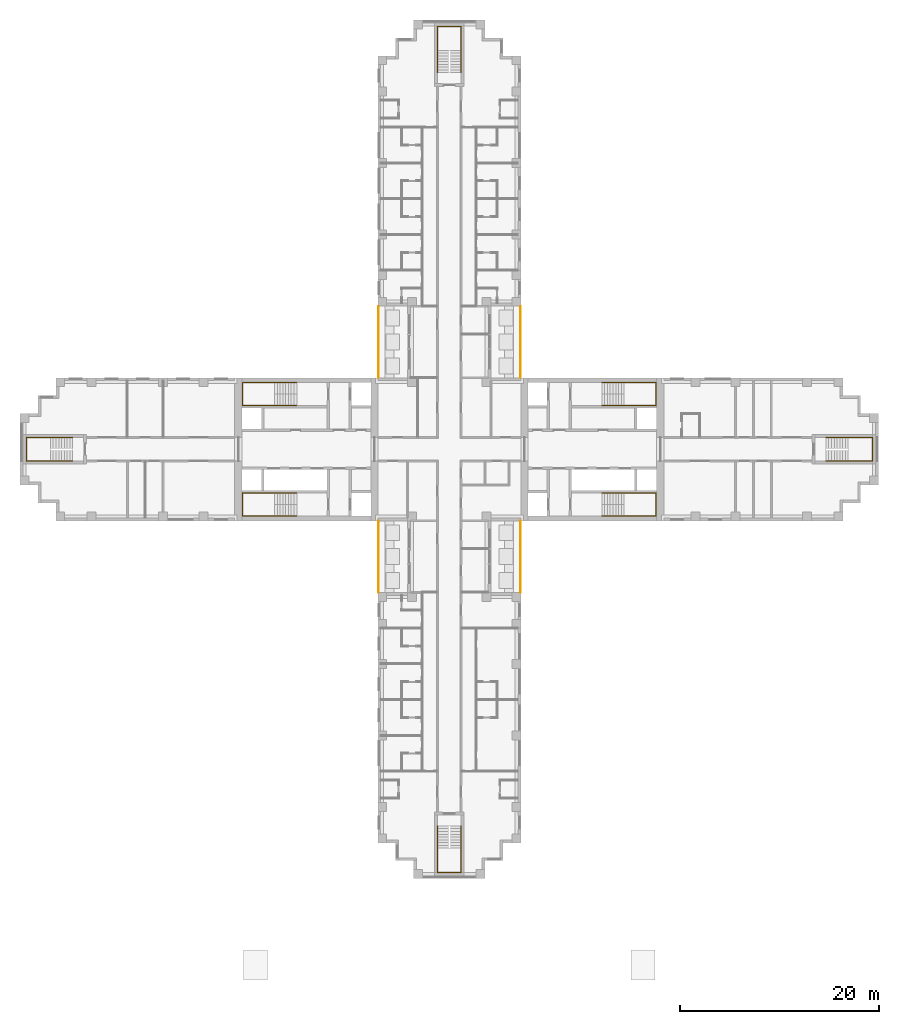
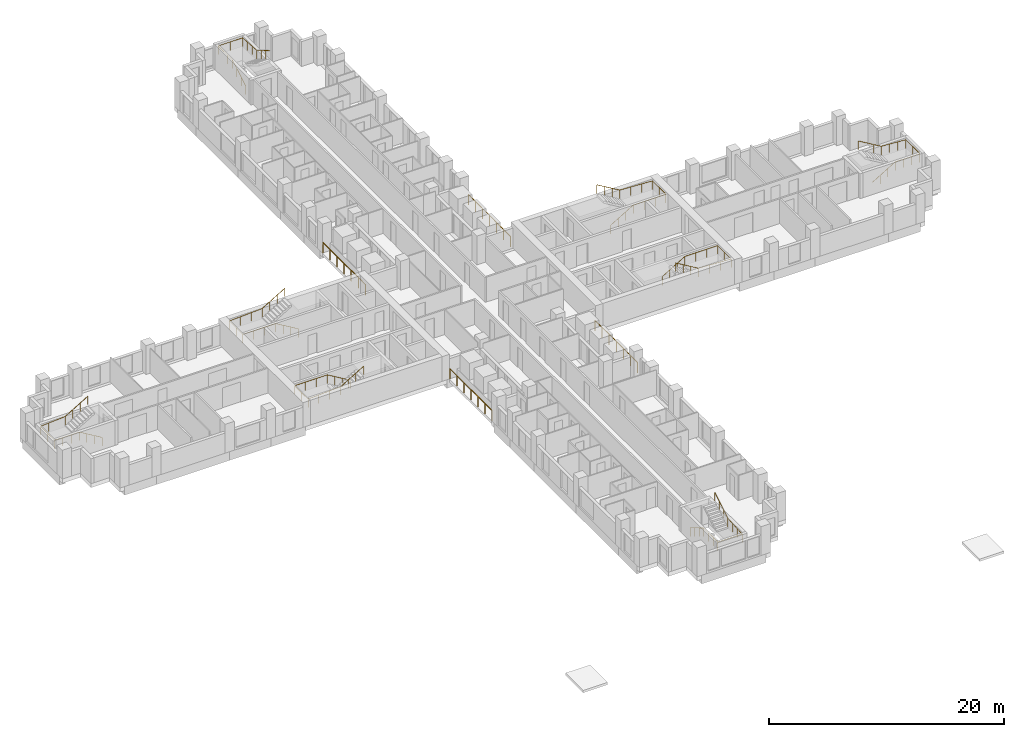
# One storey, part 14 of 15: 12 railings.
"""IFC4 building model written with IfcOpenShell, lengths in metres."""

from ifc_helpers import new_model, si_unit, direction, frame, origin, origin_2d, place, context, subcontext, project, spatial, circle, extrude, material, type_object, element, save


model = new_model("IFC4")

# Units and contexts
model_context = context("Model", 3, precision=1e-05, world=origin(), true_north=direction((0.0, 1.0)))
body_context = subcontext(model_context, "Body", "Model", "MODEL_VIEW")
ifc_project = project(units=[si_unit("LENGTHUNIT", "METRE"), si_unit("AREAUNIT", "SQUARE_METRE"), si_unit("VOLUMEUNIT", "CUBIC_METRE"), si_unit("PLANEANGLEUNIT", "RADIAN"), si_unit("MASSUNIT", "GRAM", prefix="KILO")], contexts=[model_context])

# Site, building, storey
site_placement = place(None, origin())
site = spatial("IfcSite", under=ifc_project, at=site_placement, CompositionType="ELEMENT")
building_placement = place(site_placement, origin())
building = spatial("IfcBuilding", under=site, at=building_placement, Name="Fustian Cross Tower", CompositionType="ELEMENT")
storey_placement = place(building_placement, frame((0.0, 0.0, 11.699951171875)))
storey = spatial("IfcBuildingStorey", under=building, at=storey_placement, Name="L02", CompositionType="ELEMENT", Elevation=11.699951171875)

# Railings
ifc_material_1 = material(Name="Stainless steel and glass", Category="steel")
railing_type_1 = type_object("IfcRailingType", Name="GR1 BALCONY GUARD 1100", PredefinedType="GUARDRAIL", material=ifc_material_1)
for number, where, name in (
    (1, (7.14990234375, 7.199951171875, 0.0), "Balcony guard"),
    (2, (-7.14990234375, 7.199951171875, 0.0), "Balcony guard"),
    (3, (7.14990234375, -14.39990234375, 0.0), "Balcony guard"),
    (4, (-7.14990234375, -14.39990234375, 0.0), "Balcony guard"),
):
    element("IfcRailing", number, at=place(storey_placement, frame(where)), inside=storey, type_object=railing_type_1, Name=name, PredefinedType="GUARDRAIL", context=body_context, shape_type="SweptSolid", body=[
        extrude(circle(Radius=0.02392578125, at=origin_2d()), frame((0.0, 0.0, 1.076171875), z_axis=(0.0, 1.0, 0.0), x_axis=(-1.0, 0.0, 0.0)), (0.0, 0.0, 1.0), 7.199951171875),
        extrude(circle(Radius=0.02099609375, at=origin_2d()), origin(), (0.0, 0.0, 1.0), 1.052001953125),
        extrude(circle(Radius=0.02099609375, at=origin_2d()), frame((0.0, 1.199951171875, 0.0)), (0.0, 0.0, 1.0), 1.052001953125),
        extrude(circle(Radius=0.02099609375, at=origin_2d()), frame((0.0, 2.39990234375, 0.0)), (0.0, 0.0, 1.0), 1.052001953125),
        extrude(circle(Radius=0.02099609375, at=origin_2d()), frame((0.0, 3.60009765625, 0.0)), (0.0, 0.0, 1.0), 1.052001953125),
        extrude(circle(Radius=0.02099609375, at=origin_2d()), frame((0.0, 4.800048828125, 0.0)), (0.0, 0.0, 1.0), 1.052001953125),
        extrude(circle(Radius=0.02099609375, at=origin_2d()), frame((0.0, 6.0, 0.0)), (0.0, 0.0, 1.0), 1.052001953125),
        extrude(circle(Radius=0.02099609375, at=origin_2d()), frame((0.0, 7.199951171875, 0.0)), (0.0, 0.0, 1.0), 1.052001953125),
    ])
ifc_material_2 = material(Name="Stainless steel", Category="steel")
railing_type_2 = type_object("IfcRailingType", Name="STAIR HANDRAIL", PredefinedType="HANDRAIL", material=ifc_material_2)
railing_1_placement = place(storey_placement, frame((15.35009765625, 4.39990234375, 0.166748046875)))
element("IfcRailing", 5, at=railing_1_placement, inside=storey, type_object=railing_type_2, Name="Stair ST1 handrail 1", PredefinedType="HANDRAIL", context=body_context, shape_type="SweptSolid", body=[
    extrude(circle(Radius=0.02490234375, at=origin_2d()), frame((0.0, 0.0, 0.875), z_axis=(0.859305625298, 0.0, 0.511462454469), x_axis=(0.0, 1.0, 0.0)), (0.0, 0.0, 1.0), 2.606689453125),
    extrude(circle(Radius=0.02490234375, at=origin_2d()), frame((2.239990234375, 0.0, 2.2080078125), z_axis=(1.0, 0.0, 0.0), x_axis=(0.0, 1.0, 0.0)), (0.0, 0.0, 1.0), 3.219970703125),
    extrude(circle(Radius=0.02490234375, at=origin_2d()), frame((5.4599609375, 0.0, 2.2080078125), z_axis=(0.0, 1.0, 0.0), x_axis=(-1.0, 0.0, 0.0)), (0.0, 0.0, 1.0), 2.300048828125),
    extrude(circle(Radius=0.02490234375, at=origin_2d()), frame((5.4599609375, 2.300048828125, 2.2080078125), z_axis=(-0.998661817807, 0.0, 0.051716280352), x_axis=(0.0, -1.0, 0.0)), (0.0, 0.0, 1.0), 3.224365234375),
    extrude(circle(Radius=0.02490234375, at=origin_2d()), frame((2.239990234375, 2.300048828125, 2.375), z_axis=(-0.859305625298, 0.0, 0.511462454469), x_axis=(0.0, -1.0, 0.0)), (0.0, 0.0, 1.0), 2.606689453125),
    extrude(circle(Radius=0.02001953125, at=origin_2d()), origin(), (0.0, 0.0, 1.0), 0.849853515625),
    extrude(circle(Radius=0.02001953125, at=origin_2d()), frame((0.74658203125, 0.0, 0.4443359375)), (0.0, 0.0, 1.0), 0.849853515625),
    extrude(circle(Radius=0.02001953125, at=origin_2d()), frame((1.493408203125, 0.0, 0.888916015625)), (0.0, 0.0, 1.0), 0.849853515625),
    extrude(circle(Radius=0.02001953125, at=origin_2d()), frame((2.239990234375, 0.0, 1.333251953125)), (0.0, 0.0, 1.0), 0.849853515625),
    extrude(circle(Radius=0.02001953125, at=origin_2d()), frame((3.313232421875, 0.0, 1.333251953125)), (0.0, 0.0, 1.0), 0.849853515625),
    extrude(circle(Radius=0.02001953125, at=origin_2d()), frame((4.38671875, 0.0, 1.333251953125)), (0.0, 0.0, 1.0), 0.849853515625),
    extrude(circle(Radius=0.02001953125, at=origin_2d()), frame((5.4599609375, 0.0, 1.333251953125)), (0.0, 0.0, 1.0), 0.849853515625),
    extrude(circle(Radius=0.02001953125, at=origin_2d()), frame((5.4599609375, 1.14990234375, 1.333251953125)), (0.0, 0.0, 1.0), 0.849853515625),
    extrude(circle(Radius=0.02001953125, at=origin_2d()), frame((5.4599609375, 2.300048828125, 1.333251953125)), (0.0, 0.0, 1.0), 0.849853515625),
    extrude(circle(Radius=0.02001953125, at=origin_2d()), frame((4.38671875, 2.300048828125, 1.388916015625)), (0.0, 0.0, 1.0), 0.849853515625),
    extrude(circle(Radius=0.02001953125, at=origin_2d()), frame((3.313232421875, 2.300048828125, 1.4443359375)), (0.0, 0.0, 1.0), 0.849853515625),
    extrude(circle(Radius=0.02001953125, at=origin_2d()), frame((2.239990234375, 2.300048828125, 1.5)), (0.0, 0.0, 1.0), 0.849853515625),
    extrude(circle(Radius=0.02001953125, at=origin_2d()), frame((1.493408203125, 2.300048828125, 1.9443359375)), (0.0, 0.0, 1.0), 0.849853515625),
    extrude(circle(Radius=0.02001953125, at=origin_2d()), frame((0.74658203125, 2.300048828125, 2.388916015625)), (0.0, 0.0, 1.0), 0.849853515625),
    extrude(circle(Radius=0.02001953125, at=origin_2d()), frame((0.0, 2.300048828125, 2.833251953125)), (0.0, 0.0, 1.0), 0.849853515625),
])
railing_2_placement = place(storey_placement, frame((15.35009765625, -4.39990234375, 0.166748046875)))
element("IfcRailing", 6, at=railing_2_placement, inside=storey, type_object=railing_type_2, Name="Stair ST2 handrail 1", PredefinedType="HANDRAIL", context=body_context, shape_type="SweptSolid", body=[
    extrude(circle(Radius=0.02490234375, at=origin_2d()), frame((0.0, 0.0, 0.875), z_axis=(0.859305625298, 0.0, 0.511462454469), x_axis=(0.0, 1.0, 0.0)), (0.0, 0.0, 1.0), 2.606689453125),
    extrude(circle(Radius=0.02490234375, at=origin_2d()), frame((2.239990234375, 0.0, 2.2080078125), z_axis=(1.0, 0.0, 0.0), x_axis=(0.0, 1.0, 0.0)), (0.0, 0.0, 1.0), 3.219970703125),
    extrude(circle(Radius=0.02490234375, at=origin_2d()), frame((5.4599609375, 0.0, 2.2080078125), z_axis=(0.0, -1.0, 0.0), x_axis=(1.0, 0.0, 0.0)), (0.0, 0.0, 1.0), 2.300048828125),
    extrude(circle(Radius=0.02490234375, at=origin_2d()), frame((5.4599609375, -2.300048828125, 2.2080078125), z_axis=(-0.998661817807, 0.0, 0.051716280352), x_axis=(0.0, -1.0, 0.0)), (0.0, 0.0, 1.0), 3.224365234375),
    extrude(circle(Radius=0.02490234375, at=origin_2d()), frame((2.239990234375, -2.300048828125, 2.375), z_axis=(-0.859305625298, 0.0, 0.511462454469), x_axis=(0.0, -1.0, 0.0)), (0.0, 0.0, 1.0), 2.606689453125),
    extrude(circle(Radius=0.02001953125, at=origin_2d()), origin(), (0.0, 0.0, 1.0), 0.849853515625),
    extrude(circle(Radius=0.02001953125, at=origin_2d()), frame((0.74658203125, 0.0, 0.4443359375)), (0.0, 0.0, 1.0), 0.849853515625),
    extrude(circle(Radius=0.02001953125, at=origin_2d()), frame((1.493408203125, 0.0, 0.888916015625)), (0.0, 0.0, 1.0), 0.849853515625),
    extrude(circle(Radius=0.02001953125, at=origin_2d()), frame((2.239990234375, 0.0, 1.333251953125)), (0.0, 0.0, 1.0), 0.849853515625),
    extrude(circle(Radius=0.02001953125, at=origin_2d()), frame((3.313232421875, 0.0, 1.333251953125)), (0.0, 0.0, 1.0), 0.849853515625),
    extrude(circle(Radius=0.02001953125, at=origin_2d()), frame((4.38671875, 0.0, 1.333251953125)), (0.0, 0.0, 1.0), 0.849853515625),
    extrude(circle(Radius=0.02001953125, at=origin_2d()), frame((5.4599609375, 0.0, 1.333251953125)), (0.0, 0.0, 1.0), 0.849853515625),
    extrude(circle(Radius=0.02001953125, at=origin_2d()), frame((5.4599609375, -1.14990234375, 1.333251953125)), (0.0, 0.0, 1.0), 0.849853515625),
    extrude(circle(Radius=0.02001953125, at=origin_2d()), frame((5.4599609375, -2.300048828125, 1.333251953125)), (0.0, 0.0, 1.0), 0.849853515625),
    extrude(circle(Radius=0.02001953125, at=origin_2d()), frame((4.38671875, -2.300048828125, 1.388916015625)), (0.0, 0.0, 1.0), 0.849853515625),
    extrude(circle(Radius=0.02001953125, at=origin_2d()), frame((3.313232421875, -2.300048828125, 1.4443359375)), (0.0, 0.0, 1.0), 0.849853515625),
    extrude(circle(Radius=0.02001953125, at=origin_2d()), frame((2.239990234375, -2.300048828125, 1.5)), (0.0, 0.0, 1.0), 0.849853515625),
    extrude(circle(Radius=0.02001953125, at=origin_2d()), frame((1.493408203125, -2.300048828125, 1.9443359375)), (0.0, 0.0, 1.0), 0.849853515625),
    extrude(circle(Radius=0.02001953125, at=origin_2d()), frame((0.74658203125, -2.300048828125, 2.388916015625)), (0.0, 0.0, 1.0), 0.849853515625),
    extrude(circle(Radius=0.02001953125, at=origin_2d()), frame((0.0, -2.300048828125, 2.833251953125)), (0.0, 0.0, 1.0), 0.849853515625),
])
railing_3_placement = place(storey_placement, frame((-15.35009765625, 4.39990234375, 0.166748046875)))
element("IfcRailing", 7, at=railing_3_placement, inside=storey, type_object=railing_type_2, Name="Stair ST3 handrail 1", PredefinedType="HANDRAIL", context=body_context, shape_type="SweptSolid", body=[
    extrude(circle(Radius=0.02490234375, at=origin_2d()), frame((0.0, 0.0, 0.875), z_axis=(-0.859305625298, 0.0, 0.511462454469), x_axis=(0.0, -1.0, 0.0)), (0.0, 0.0, 1.0), 2.606689453125),
    extrude(circle(Radius=0.02490234375, at=origin_2d()), frame((-2.239990234375, 0.0, 2.2080078125), z_axis=(-1.0, 0.0, 0.0), x_axis=(0.0, -1.0, 0.0)), (0.0, 0.0, 1.0), 3.219970703125),
    extrude(circle(Radius=0.02490234375, at=origin_2d()), frame((-5.4599609375, 0.0, 2.2080078125), z_axis=(0.0, 1.0, 0.0), x_axis=(-1.0, 0.0, 0.0)), (0.0, 0.0, 1.0), 2.300048828125),
    extrude(circle(Radius=0.02490234375, at=origin_2d()), frame((-5.4599609375, 2.300048828125, 2.2080078125), z_axis=(0.998661817807, 0.0, 0.051716280352), x_axis=(0.0, 1.0, 0.0)), (0.0, 0.0, 1.0), 3.224365234375),
    extrude(circle(Radius=0.02490234375, at=origin_2d()), frame((-2.239990234375, 2.300048828125, 2.375), z_axis=(0.859305625298, 0.0, 0.511462454469), x_axis=(0.0, 1.0, 0.0)), (0.0, 0.0, 1.0), 2.606689453125),
    extrude(circle(Radius=0.02001953125, at=origin_2d()), origin(), (0.0, 0.0, 1.0), 0.849853515625),
    extrude(circle(Radius=0.02001953125, at=origin_2d()), frame((-0.74658203125, 0.0, 0.4443359375)), (0.0, 0.0, 1.0), 0.849853515625),
    extrude(circle(Radius=0.02001953125, at=origin_2d()), frame((-1.493408203125, 0.0, 0.888916015625)), (0.0, 0.0, 1.0), 0.849853515625),
    extrude(circle(Radius=0.02001953125, at=origin_2d()), frame((-2.239990234375, 0.0, 1.333251953125)), (0.0, 0.0, 1.0), 0.849853515625),
    extrude(circle(Radius=0.02001953125, at=origin_2d()), frame((-3.313232421875, 0.0, 1.333251953125)), (0.0, 0.0, 1.0), 0.849853515625),
    extrude(circle(Radius=0.02001953125, at=origin_2d()), frame((-4.38671875, 0.0, 1.333251953125)), (0.0, 0.0, 1.0), 0.849853515625),
    extrude(circle(Radius=0.02001953125, at=origin_2d()), frame((-5.4599609375, 0.0, 1.333251953125)), (0.0, 0.0, 1.0), 0.849853515625),
    extrude(circle(Radius=0.02001953125, at=origin_2d()), frame((-5.4599609375, 1.14990234375, 1.333251953125)), (0.0, 0.0, 1.0), 0.849853515625),
    extrude(circle(Radius=0.02001953125, at=origin_2d()), frame((-5.4599609375, 2.300048828125, 1.333251953125)), (0.0, 0.0, 1.0), 0.849853515625),
    extrude(circle(Radius=0.02001953125, at=origin_2d()), frame((-4.38671875, 2.300048828125, 1.388916015625)), (0.0, 0.0, 1.0), 0.849853515625),
    extrude(circle(Radius=0.02001953125, at=origin_2d()), frame((-3.313232421875, 2.300048828125, 1.4443359375)), (0.0, 0.0, 1.0), 0.849853515625),
    extrude(circle(Radius=0.02001953125, at=origin_2d()), frame((-2.239990234375, 2.300048828125, 1.5)), (0.0, 0.0, 1.0), 0.849853515625),
    extrude(circle(Radius=0.02001953125, at=origin_2d()), frame((-1.493408203125, 2.300048828125, 1.9443359375)), (0.0, 0.0, 1.0), 0.849853515625),
    extrude(circle(Radius=0.02001953125, at=origin_2d()), frame((-0.74658203125, 2.300048828125, 2.388916015625)), (0.0, 0.0, 1.0), 0.849853515625),
    extrude(circle(Radius=0.02001953125, at=origin_2d()), frame((0.0, 2.300048828125, 2.833251953125)), (0.0, 0.0, 1.0), 0.849853515625),
])
railing_4_placement = place(storey_placement, frame((-15.35009765625, -4.39990234375, 0.166748046875)))
element("IfcRailing", 8, at=railing_4_placement, inside=storey, type_object=railing_type_2, Name="Stair ST4 handrail 1", PredefinedType="HANDRAIL", context=body_context, shape_type="SweptSolid", body=[
    extrude(circle(Radius=0.02490234375, at=origin_2d()), frame((0.0, 0.0, 0.875), z_axis=(-0.859305625298, 0.0, 0.511462454469), x_axis=(0.0, -1.0, 0.0)), (0.0, 0.0, 1.0), 2.606689453125),
    extrude(circle(Radius=0.02490234375, at=origin_2d()), frame((-2.239990234375, 0.0, 2.2080078125), z_axis=(-1.0, 0.0, 0.0), x_axis=(0.0, -1.0, 0.0)), (0.0, 0.0, 1.0), 3.219970703125),
    extrude(circle(Radius=0.02490234375, at=origin_2d()), frame((-5.4599609375, 0.0, 2.2080078125), z_axis=(0.0, -1.0, 0.0), x_axis=(1.0, 0.0, 0.0)), (0.0, 0.0, 1.0), 2.300048828125),
    extrude(circle(Radius=0.02490234375, at=origin_2d()), frame((-5.4599609375, -2.300048828125, 2.2080078125), z_axis=(0.998661817807, 0.0, 0.051716280352), x_axis=(0.0, 1.0, 0.0)), (0.0, 0.0, 1.0), 3.224365234375),
    extrude(circle(Radius=0.02490234375, at=origin_2d()), frame((-2.239990234375, -2.300048828125, 2.375), z_axis=(0.859305625298, 0.0, 0.511462454469), x_axis=(0.0, 1.0, 0.0)), (0.0, 0.0, 1.0), 2.606689453125),
    extrude(circle(Radius=0.02001953125, at=origin_2d()), origin(), (0.0, 0.0, 1.0), 0.849853515625),
    extrude(circle(Radius=0.02001953125, at=origin_2d()), frame((-0.74658203125, 0.0, 0.4443359375)), (0.0, 0.0, 1.0), 0.849853515625),
    extrude(circle(Radius=0.02001953125, at=origin_2d()), frame((-1.493408203125, 0.0, 0.888916015625)), (0.0, 0.0, 1.0), 0.849853515625),
    extrude(circle(Radius=0.02001953125, at=origin_2d()), frame((-2.239990234375, 0.0, 1.333251953125)), (0.0, 0.0, 1.0), 0.849853515625),
    extrude(circle(Radius=0.02001953125, at=origin_2d()), frame((-3.313232421875, 0.0, 1.333251953125)), (0.0, 0.0, 1.0), 0.849853515625),
    extrude(circle(Radius=0.02001953125, at=origin_2d()), frame((-4.38671875, 0.0, 1.333251953125)), (0.0, 0.0, 1.0), 0.849853515625),
    extrude(circle(Radius=0.02001953125, at=origin_2d()), frame((-5.4599609375, 0.0, 1.333251953125)), (0.0, 0.0, 1.0), 0.849853515625),
    extrude(circle(Radius=0.02001953125, at=origin_2d()), frame((-5.4599609375, -1.14990234375, 1.333251953125)), (0.0, 0.0, 1.0), 0.849853515625),
    extrude(circle(Radius=0.02001953125, at=origin_2d()), frame((-5.4599609375, -2.300048828125, 1.333251953125)), (0.0, 0.0, 1.0), 0.849853515625),
    extrude(circle(Radius=0.02001953125, at=origin_2d()), frame((-4.38671875, -2.300048828125, 1.388916015625)), (0.0, 0.0, 1.0), 0.849853515625),
    extrude(circle(Radius=0.02001953125, at=origin_2d()), frame((-3.313232421875, -2.300048828125, 1.4443359375)), (0.0, 0.0, 1.0), 0.849853515625),
    extrude(circle(Radius=0.02001953125, at=origin_2d()), frame((-2.239990234375, -2.300048828125, 1.5)), (0.0, 0.0, 1.0), 0.849853515625),
    extrude(circle(Radius=0.02001953125, at=origin_2d()), frame((-1.493408203125, -2.300048828125, 1.9443359375)), (0.0, 0.0, 1.0), 0.849853515625),
    extrude(circle(Radius=0.02001953125, at=origin_2d()), frame((-0.74658203125, -2.300048828125, 2.388916015625)), (0.0, 0.0, 1.0), 0.849853515625),
    extrude(circle(Radius=0.02001953125, at=origin_2d()), frame((0.0, -2.300048828125, 2.833251953125)), (0.0, 0.0, 1.0), 0.849853515625),
])
railing_5_placement = place(storey_placement, frame((-1.199951171875, 37.89990234375, 0.166748046875)))
element("IfcRailing", 9, at=railing_5_placement, inside=storey, type_object=railing_type_2, Name="Stair ST5 handrail 1", PredefinedType="HANDRAIL", context=body_context, shape_type="SweptSolid", body=[
    extrude(circle(Radius=0.02490234375, at=origin_2d()), frame((0.0, 0.0, 0.875), z_axis=(0.0, 0.859305625298, 0.511462454469), x_axis=(-1.0, 0.0, 0.0)), (0.0, 0.0, 1.0), 2.606689453125),
    extrude(circle(Radius=0.02490234375, at=origin_2d()), frame((0.0, 2.239990234375, 2.2080078125), z_axis=(0.0, 1.0, 0.0), x_axis=(-1.0, 0.0, 0.0)), (0.0, 0.0, 1.0), 2.420166015625),
    extrude(circle(Radius=0.02490234375, at=origin_2d()), frame((0.0, 4.66015625, 2.2080078125), z_axis=(1.0, 0.0, 0.0), x_axis=(0.0, 1.0, 0.0)), (0.0, 0.0, 1.0), 2.39990234375),
    extrude(circle(Radius=0.02490234375, at=origin_2d()), frame((2.39990234375, 4.66015625, 2.2080078125), z_axis=(0.0, -0.997634852044, 0.068736467663), x_axis=(1.0, 0.0, 0.0)), (0.0, 0.0, 1.0), 2.426025390625),
    extrude(circle(Radius=0.02490234375, at=origin_2d()), frame((2.39990234375, 2.239990234375, 2.375), z_axis=(0.0, -0.859305625298, 0.511462454469), x_axis=(1.0, 0.0, 0.0)), (0.0, 0.0, 1.0), 2.606689453125),
    extrude(circle(Radius=0.02001953125, at=origin_2d()), origin(), (0.0, 0.0, 1.0), 0.849853515625),
    extrude(circle(Radius=0.02001953125, at=origin_2d()), frame((0.0, 0.74658203125, 0.4443359375)), (0.0, 0.0, 1.0), 0.849853515625),
    extrude(circle(Radius=0.02001953125, at=origin_2d()), frame((0.0, 1.493408203125, 0.888916015625)), (0.0, 0.0, 1.0), 0.849853515625),
    extrude(circle(Radius=0.02001953125, at=origin_2d()), frame((0.0, 2.239990234375, 1.333251953125)), (0.0, 0.0, 1.0), 0.849853515625),
    extrude(circle(Radius=0.02001953125, at=origin_2d()), frame((0.0, 3.046630859375, 1.333251953125)), (0.0, 0.0, 1.0), 0.849853515625),
    extrude(circle(Radius=0.02001953125, at=origin_2d()), frame((0.0, 3.853515625, 1.333251953125)), (0.0, 0.0, 1.0), 0.849853515625),
    extrude(circle(Radius=0.02001953125, at=origin_2d()), frame((0.0, 4.66015625, 1.333251953125)), (0.0, 0.0, 1.0), 0.849853515625),
    extrude(circle(Radius=0.02001953125, at=origin_2d()), frame((1.199951171875, 4.66015625, 1.333251953125)), (0.0, 0.0, 1.0), 0.849853515625),
    extrude(circle(Radius=0.02001953125, at=origin_2d()), frame((2.39990234375, 4.66015625, 1.333251953125)), (0.0, 0.0, 1.0), 0.849853515625),
    extrude(circle(Radius=0.02001953125, at=origin_2d()), frame((2.39990234375, 3.853515625, 1.388916015625)), (0.0, 0.0, 1.0), 0.849853515625),
    extrude(circle(Radius=0.02001953125, at=origin_2d()), frame((2.39990234375, 3.046630859375, 1.4443359375)), (0.0, 0.0, 1.0), 0.849853515625),
    extrude(circle(Radius=0.02001953125, at=origin_2d()), frame((2.39990234375, 2.239990234375, 1.5)), (0.0, 0.0, 1.0), 0.849853515625),
    extrude(circle(Radius=0.02001953125, at=origin_2d()), frame((2.39990234375, 1.493408203125, 1.9443359375)), (0.0, 0.0, 1.0), 0.849853515625),
    extrude(circle(Radius=0.02001953125, at=origin_2d()), frame((2.39990234375, 0.74658203125, 2.388916015625)), (0.0, 0.0, 1.0), 0.849853515625),
    extrude(circle(Radius=0.02001953125, at=origin_2d()), frame((2.39990234375, 0.0, 2.833251953125)), (0.0, 0.0, 1.0), 0.849853515625),
])
railing_6_placement = place(storey_placement, frame((-1.199951171875, -37.89990234375, 0.166748046875)))
element("IfcRailing", 10, at=railing_6_placement, inside=storey, type_object=railing_type_2, Name="Stair ST6 handrail 1", PredefinedType="HANDRAIL", context=body_context, shape_type="SweptSolid", body=[
    extrude(circle(Radius=0.02490234375, at=origin_2d()), frame((0.0, 0.0, 0.875), z_axis=(0.0, -0.859305625298, 0.511462454469), x_axis=(1.0, 0.0, 0.0)), (0.0, 0.0, 1.0), 2.606689453125),
    extrude(circle(Radius=0.02490234375, at=origin_2d()), frame((0.0, -2.239990234375, 2.2080078125), z_axis=(0.0, -1.0, 0.0), x_axis=(1.0, 0.0, 0.0)), (0.0, 0.0, 1.0), 2.420166015625),
    extrude(circle(Radius=0.02490234375, at=origin_2d()), frame((0.0, -4.66015625, 2.2080078125), z_axis=(1.0, 0.0, 0.0), x_axis=(0.0, 1.0, 0.0)), (0.0, 0.0, 1.0), 2.39990234375),
    extrude(circle(Radius=0.02490234375, at=origin_2d()), frame((2.39990234375, -4.66015625, 2.2080078125), z_axis=(0.0, 0.997634852044, 0.068736467663), x_axis=(-1.0, 0.0, 0.0)), (0.0, 0.0, 1.0), 2.426025390625),
    extrude(circle(Radius=0.02490234375, at=origin_2d()), frame((2.39990234375, -2.239990234375, 2.375), z_axis=(0.0, 0.859305625298, 0.511462454469), x_axis=(-1.0, 0.0, 0.0)), (0.0, 0.0, 1.0), 2.606689453125),
    extrude(circle(Radius=0.02001953125, at=origin_2d()), origin(), (0.0, 0.0, 1.0), 0.849853515625),
    extrude(circle(Radius=0.02001953125, at=origin_2d()), frame((0.0, -0.74658203125, 0.4443359375)), (0.0, 0.0, 1.0), 0.849853515625),
    extrude(circle(Radius=0.02001953125, at=origin_2d()), frame((0.0, -1.493408203125, 0.888916015625)), (0.0, 0.0, 1.0), 0.849853515625),
    extrude(circle(Radius=0.02001953125, at=origin_2d()), frame((0.0, -2.239990234375, 1.333251953125)), (0.0, 0.0, 1.0), 0.849853515625),
    extrude(circle(Radius=0.02001953125, at=origin_2d()), frame((0.0, -3.046630859375, 1.333251953125)), (0.0, 0.0, 1.0), 0.849853515625),
    extrude(circle(Radius=0.02001953125, at=origin_2d()), frame((0.0, -3.853515625, 1.333251953125)), (0.0, 0.0, 1.0), 0.849853515625),
    extrude(circle(Radius=0.02001953125, at=origin_2d()), frame((0.0, -4.66015625, 1.333251953125)), (0.0, 0.0, 1.0), 0.849853515625),
    extrude(circle(Radius=0.02001953125, at=origin_2d()), frame((1.199951171875, -4.66015625, 1.333251953125)), (0.0, 0.0, 1.0), 0.849853515625),
    extrude(circle(Radius=0.02001953125, at=origin_2d()), frame((2.39990234375, -4.66015625, 1.333251953125)), (0.0, 0.0, 1.0), 0.849853515625),
    extrude(circle(Radius=0.02001953125, at=origin_2d()), frame((2.39990234375, -3.853515625, 1.388916015625)), (0.0, 0.0, 1.0), 0.849853515625),
    extrude(circle(Radius=0.02001953125, at=origin_2d()), frame((2.39990234375, -3.046630859375, 1.4443359375)), (0.0, 0.0, 1.0), 0.849853515625),
    extrude(circle(Radius=0.02001953125, at=origin_2d()), frame((2.39990234375, -2.239990234375, 1.5)), (0.0, 0.0, 1.0), 0.849853515625),
    extrude(circle(Radius=0.02001953125, at=origin_2d()), frame((2.39990234375, -1.493408203125, 1.9443359375)), (0.0, 0.0, 1.0), 0.849853515625),
    extrude(circle(Radius=0.02001953125, at=origin_2d()), frame((2.39990234375, -0.74658203125, 2.388916015625)), (0.0, 0.0, 1.0), 0.849853515625),
    extrude(circle(Radius=0.02001953125, at=origin_2d()), frame((2.39990234375, 0.0, 2.833251953125)), (0.0, 0.0, 1.0), 0.849853515625),
])
railing_7_placement = place(storey_placement, frame((37.89990234375, -1.199951171875, 0.166748046875)))
element("IfcRailing", 11, at=railing_7_placement, inside=storey, type_object=railing_type_2, Name="Stair ST8 handrail 1", PredefinedType="HANDRAIL", context=body_context, shape_type="SweptSolid", body=[
    extrude(circle(Radius=0.02490234375, at=origin_2d()), frame((0.0, 0.0, 0.875), z_axis=(0.859305625298, 0.0, 0.511462454469), x_axis=(0.0, 1.0, 0.0)), (0.0, 0.0, 1.0), 2.606689453125),
    extrude(circle(Radius=0.02490234375, at=origin_2d()), frame((2.239990234375, 0.0, 2.2080078125), z_axis=(1.0, 0.0, 0.0), x_axis=(0.0, 1.0, 0.0)), (0.0, 0.0, 1.0), 2.420166015625),
    extrude(circle(Radius=0.02490234375, at=origin_2d()), frame((4.66015625, 0.0, 2.2080078125), z_axis=(0.0, 1.0, 0.0), x_axis=(-1.0, 0.0, 0.0)), (0.0, 0.0, 1.0), 2.39990234375),
    extrude(circle(Radius=0.02490234375, at=origin_2d()), frame((4.66015625, 2.39990234375, 2.2080078125), z_axis=(-0.997634852044, 0.0, 0.068736467663), x_axis=(0.0, -1.0, 0.0)), (0.0, 0.0, 1.0), 2.426025390625),
    extrude(circle(Radius=0.02490234375, at=origin_2d()), frame((2.239990234375, 2.39990234375, 2.375), z_axis=(-0.859305625298, 0.0, 0.511462454469), x_axis=(0.0, -1.0, 0.0)), (0.0, 0.0, 1.0), 2.606689453125),
    extrude(circle(Radius=0.02001953125, at=origin_2d()), origin(), (0.0, 0.0, 1.0), 0.849853515625),
    extrude(circle(Radius=0.02001953125, at=origin_2d()), frame((0.74658203125, 0.0, 0.4443359375)), (0.0, 0.0, 1.0), 0.849853515625),
    extrude(circle(Radius=0.02001953125, at=origin_2d()), frame((1.493408203125, 0.0, 0.888916015625)), (0.0, 0.0, 1.0), 0.849853515625),
    extrude(circle(Radius=0.02001953125, at=origin_2d()), frame((2.239990234375, 0.0, 1.333251953125)), (0.0, 0.0, 1.0), 0.849853515625),
    extrude(circle(Radius=0.02001953125, at=origin_2d()), frame((3.046630859375, 0.0, 1.333251953125)), (0.0, 0.0, 1.0), 0.849853515625),
    extrude(circle(Radius=0.02001953125, at=origin_2d()), frame((3.853515625, 0.0, 1.333251953125)), (0.0, 0.0, 1.0), 0.849853515625),
    extrude(circle(Radius=0.02001953125, at=origin_2d()), frame((4.66015625, 0.0, 1.333251953125)), (0.0, 0.0, 1.0), 0.849853515625),
    extrude(circle(Radius=0.02001953125, at=origin_2d()), frame((4.66015625, 1.199951171875, 1.333251953125)), (0.0, 0.0, 1.0), 0.849853515625),
    extrude(circle(Radius=0.02001953125, at=origin_2d()), frame((4.66015625, 2.39990234375, 1.333251953125)), (0.0, 0.0, 1.0), 0.849853515625),
    extrude(circle(Radius=0.02001953125, at=origin_2d()), frame((3.853515625, 2.39990234375, 1.388916015625)), (0.0, 0.0, 1.0), 0.849853515625),
    extrude(circle(Radius=0.02001953125, at=origin_2d()), frame((3.046630859375, 2.39990234375, 1.4443359375)), (0.0, 0.0, 1.0), 0.849853515625),
    extrude(circle(Radius=0.02001953125, at=origin_2d()), frame((2.239990234375, 2.39990234375, 1.5)), (0.0, 0.0, 1.0), 0.849853515625),
    extrude(circle(Radius=0.02001953125, at=origin_2d()), frame((1.493408203125, 2.39990234375, 1.9443359375)), (0.0, 0.0, 1.0), 0.849853515625),
    extrude(circle(Radius=0.02001953125, at=origin_2d()), frame((0.74658203125, 2.39990234375, 2.388916015625)), (0.0, 0.0, 1.0), 0.849853515625),
    extrude(circle(Radius=0.02001953125, at=origin_2d()), frame((0.0, 2.39990234375, 2.833251953125)), (0.0, 0.0, 1.0), 0.849853515625),
])
railing_8_placement = place(storey_placement, frame((-37.89990234375, -1.199951171875, 0.166748046875)))
element("IfcRailing", 12, at=railing_8_placement, inside=storey, type_object=railing_type_2, Name="Stair ST9 handrail 1", PredefinedType="HANDRAIL", context=body_context, shape_type="SweptSolid", body=[
    extrude(circle(Radius=0.02490234375, at=origin_2d()), frame((0.0, 0.0, 0.875), z_axis=(-0.859305625298, 0.0, 0.511462454469), x_axis=(0.0, -1.0, 0.0)), (0.0, 0.0, 1.0), 2.606689453125),
    extrude(circle(Radius=0.02490234375, at=origin_2d()), frame((-2.239990234375, 0.0, 2.2080078125), z_axis=(-1.0, 0.0, 0.0), x_axis=(0.0, -1.0, 0.0)), (0.0, 0.0, 1.0), 2.420166015625),
    extrude(circle(Radius=0.02490234375, at=origin_2d()), frame((-4.66015625, 0.0, 2.2080078125), z_axis=(0.0, 1.0, 0.0), x_axis=(-1.0, 0.0, 0.0)), (0.0, 0.0, 1.0), 2.39990234375),
    extrude(circle(Radius=0.02490234375, at=origin_2d()), frame((-4.66015625, 2.39990234375, 2.2080078125), z_axis=(0.997634852044, 0.0, 0.068736467663), x_axis=(0.0, 1.0, 0.0)), (0.0, 0.0, 1.0), 2.426025390625),
    extrude(circle(Radius=0.02490234375, at=origin_2d()), frame((-2.239990234375, 2.39990234375, 2.375), z_axis=(0.859305625298, 0.0, 0.511462454469), x_axis=(0.0, 1.0, 0.0)), (0.0, 0.0, 1.0), 2.606689453125),
    extrude(circle(Radius=0.02001953125, at=origin_2d()), origin(), (0.0, 0.0, 1.0), 0.849853515625),
    extrude(circle(Radius=0.02001953125, at=origin_2d()), frame((-0.74658203125, 0.0, 0.4443359375)), (0.0, 0.0, 1.0), 0.849853515625),
    extrude(circle(Radius=0.02001953125, at=origin_2d()), frame((-1.493408203125, 0.0, 0.888916015625)), (0.0, 0.0, 1.0), 0.849853515625),
    extrude(circle(Radius=0.02001953125, at=origin_2d()), frame((-2.239990234375, 0.0, 1.333251953125)), (0.0, 0.0, 1.0), 0.849853515625),
    extrude(circle(Radius=0.02001953125, at=origin_2d()), frame((-3.046630859375, 0.0, 1.333251953125)), (0.0, 0.0, 1.0), 0.849853515625),
    extrude(circle(Radius=0.02001953125, at=origin_2d()), frame((-3.853515625, 0.0, 1.333251953125)), (0.0, 0.0, 1.0), 0.849853515625),
    extrude(circle(Radius=0.02001953125, at=origin_2d()), frame((-4.66015625, 0.0, 1.333251953125)), (0.0, 0.0, 1.0), 0.849853515625),
    extrude(circle(Radius=0.02001953125, at=origin_2d()), frame((-4.66015625, 1.199951171875, 1.333251953125)), (0.0, 0.0, 1.0), 0.849853515625),
    extrude(circle(Radius=0.02001953125, at=origin_2d()), frame((-4.66015625, 2.39990234375, 1.333251953125)), (0.0, 0.0, 1.0), 0.849853515625),
    extrude(circle(Radius=0.02001953125, at=origin_2d()), frame((-3.853515625, 2.39990234375, 1.388916015625)), (0.0, 0.0, 1.0), 0.849853515625),
    extrude(circle(Radius=0.02001953125, at=origin_2d()), frame((-3.046630859375, 2.39990234375, 1.4443359375)), (0.0, 0.0, 1.0), 0.849853515625),
    extrude(circle(Radius=0.02001953125, at=origin_2d()), frame((-2.239990234375, 2.39990234375, 1.5)), (0.0, 0.0, 1.0), 0.849853515625),
    extrude(circle(Radius=0.02001953125, at=origin_2d()), frame((-1.493408203125, 2.39990234375, 1.9443359375)), (0.0, 0.0, 1.0), 0.849853515625),
    extrude(circle(Radius=0.02001953125, at=origin_2d()), frame((-0.74658203125, 2.39990234375, 2.388916015625)), (0.0, 0.0, 1.0), 0.849853515625),
    extrude(circle(Radius=0.02001953125, at=origin_2d()), frame((0.0, 2.39990234375, 2.833251953125)), (0.0, 0.0, 1.0), 0.849853515625),
])

save(model, "model.ifc")
